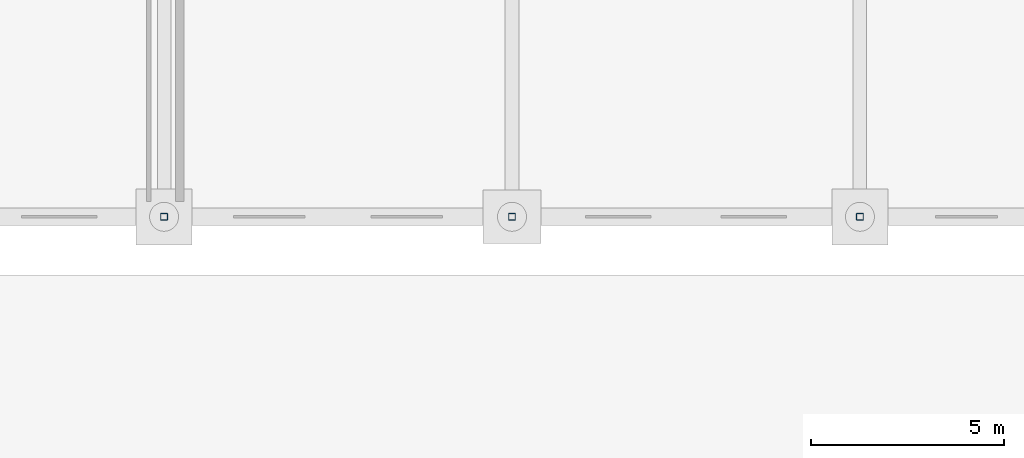
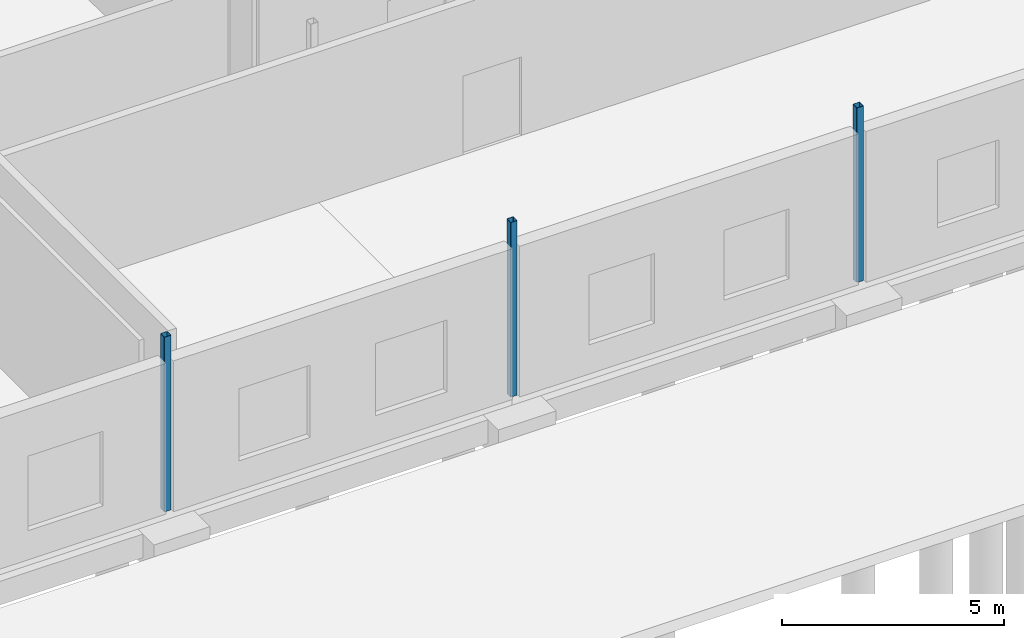
# One storey, part 33 of 112: 3 columns.
"""IFC4 building model written with IfcOpenShell, lengths in metres."""

from ifc_helpers import new_model, si_unit, direction, frame, origin, origin_2d, place, context, subcontext, project, spatial, hollow_rectangle, extrude, material, material_profile, profile_set, type_object, element, save


model = new_model("IFC4")

# Units and contexts
model_context = context("Model", 3, precision=1e-05, world=origin(), true_north=direction((0.0, 1.0)))
body_context = subcontext(model_context, "Body", "Model", "MODEL_VIEW")
ifc_project = project(units=[si_unit("LENGTHUNIT", "METRE"), si_unit("AREAUNIT", "SQUARE_METRE"), si_unit("VOLUMEUNIT", "CUBIC_METRE"), si_unit("PLANEANGLEUNIT", "RADIAN"), si_unit("MASSUNIT", "GRAM", prefix="KILO")], contexts=[model_context])

# Site, building, storey
site_placement = place(None, origin())
site = spatial("IfcSite", under=ifc_project, at=site_placement, CompositionType="ELEMENT")
building_placement = place(site_placement, origin())
building = spatial("IfcBuilding", under=site, at=building_placement, Name="Tharagai Park Tramway Depot", CompositionType="ELEMENT")
storey_placement = place(building_placement, origin())
storey = spatial("IfcBuildingStorey", under=building, at=storey_placement, Name="L00", CompositionType="ELEMENT", Elevation=0.0)

# Columns
ifc_material = material(Name="Steel E350", Category="steel")
ifc_material_profile = material_profile(ifc_material, hollow_rectangle(XDim=0.179931640625, YDim=0.179931640625, WallThickness=0.008056640625, InnerFilletRadius=0.008056640625, OuterFilletRadius=0.01611328125, at=origin_2d()), Name="SHS 180x180x8")
ifc_profile_set = profile_set([ifc_material_profile], Name="Steel E350")
column_type = type_object("IfcColumnType", Name="CL-04", PredefinedType="COLUMN", material=ifc_profile_set)
for number, where, z_axis, x_axis, name in (
    (1, (189.0, 54.0, 0.0), (0.0, 0.0, 1.0), (1.0, 0.0, 0.0), "L00 Structural Column CL-04 (189,54)"),
    (2, (198.0, 54.0, 0.0), (0.0, 0.0, 1.0), (1.0, 0.0, 0.0), "L00 Structural Column CL-04 (198,54)"),
    (3, (207.0, 54.0, 0.0), (0.0, 0.0, 1.0), (1.0, 0.0, 0.0), "L00 Structural Column CL-04 (207,54)"),
):
    element("IfcColumn", number, at=place(storey_placement, frame(where, z_axis=z_axis, x_axis=x_axis)), inside=storey, type_object=column_type, Name=name, PredefinedType="COLUMN", context=body_context, shape_type="SweptSolid", body=[
        extrude(hollow_rectangle(XDim=0.179931640625, YDim=0.179931640625, WallThickness=0.008056640625, InnerFilletRadius=0.008056640625, OuterFilletRadius=0.01611328125, at=origin_2d()), origin(), (0.0, 0.0, 1.0), 4.800048828125),
    ])

save(model, "model.ifc")
